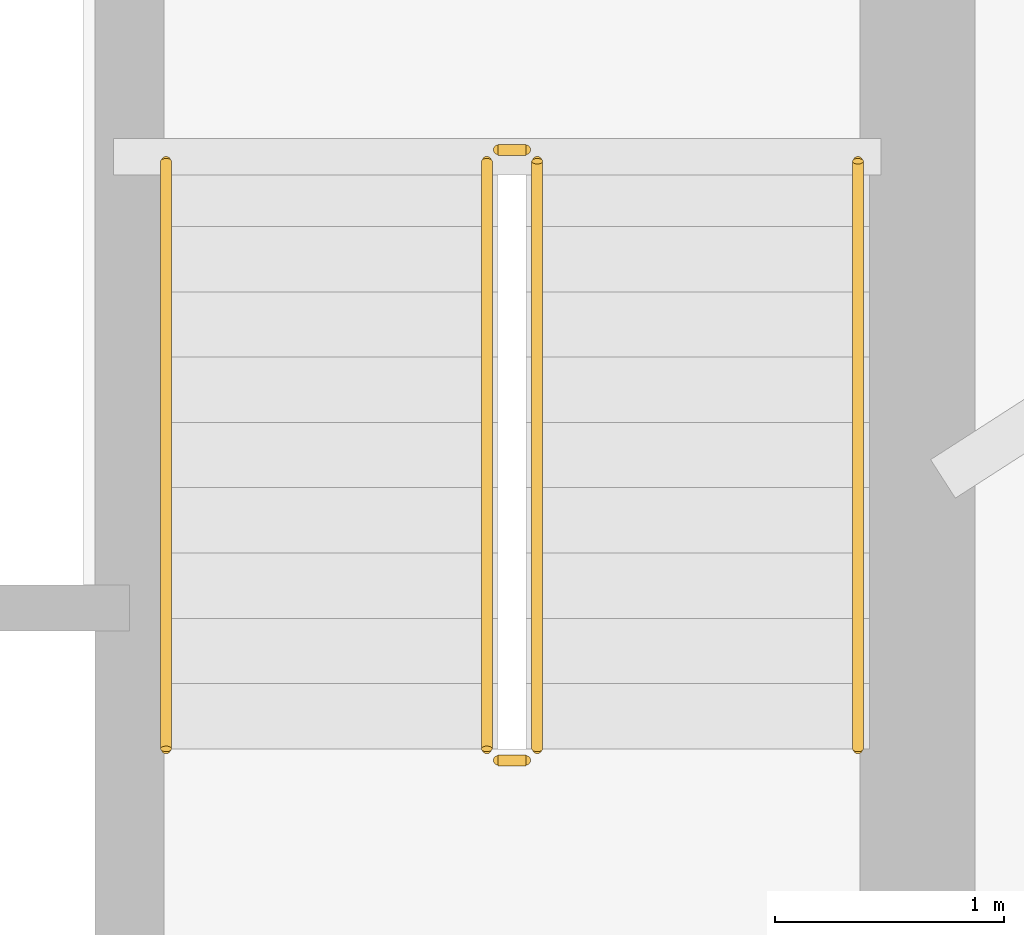
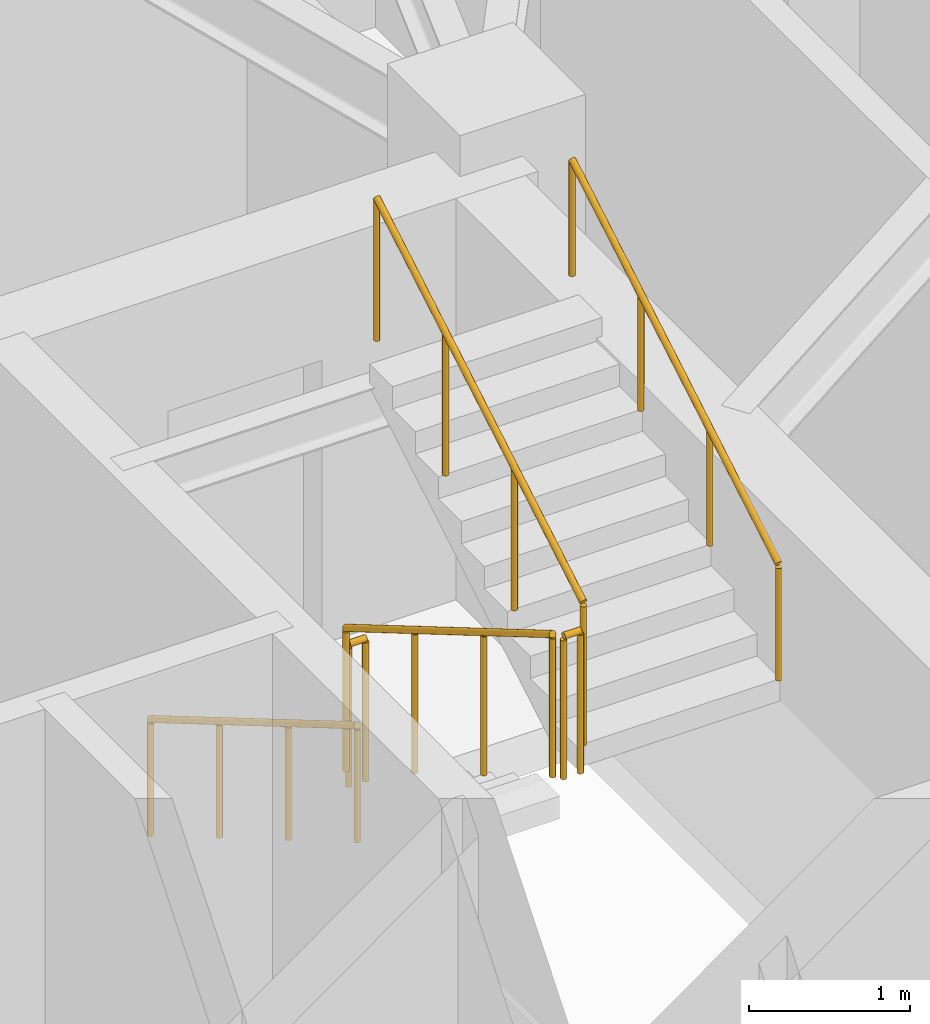
# One storey, part 17 of 17: 6 railings.
"""IFC4 building model written with IfcOpenShell, lengths in metres."""

from ifc_helpers import new_model, si_unit, direction, frame, origin, origin_2d, place, context, subcontext, project, spatial, circle, extrude, material, type_object, element, save


model = new_model("IFC4")

# Units and contexts
model_context = context("Model", 3, precision=1e-05, world=origin(), true_north=direction((0.0, 1.0)))
body_context = subcontext(model_context, "Body", "Model", "MODEL_VIEW")
ifc_project = project(units=[si_unit("LENGTHUNIT", "METRE"), si_unit("AREAUNIT", "SQUARE_METRE"), si_unit("VOLUMEUNIT", "CUBIC_METRE"), si_unit("PLANEANGLEUNIT", "RADIAN"), si_unit("MASSUNIT", "GRAM", prefix="KILO")], contexts=[model_context])

# Site, building, storey
site_placement = place(None, origin())
site = spatial("IfcSite", under=ifc_project, at=site_placement, CompositionType="ELEMENT")
building_placement = place(site_placement, origin())
building = spatial("IfcBuilding", under=site, at=building_placement, Name="Qobustan Lattice House", CompositionType="ELEMENT")
storey_placement = place(building_placement, frame((0.0, 0.0, 161.14990234375)))
storey = spatial("IfcBuildingStorey", under=building, at=storey_placement, Name="L45", CompositionType="ELEMENT", Elevation=161.14990234375)

# Railings
ifc_material_1 = material(Name="Brushed stainless steel handrail", Category="steel")
railing_type_1 = type_object("IfcRailingType", Name="RAL-HR-920", PredefinedType="HANDRAIL", material=ifc_material_1)
railing_1_placement = place(storey_placement, frame((15.179931640625, 3.5, 0.16748046875)))
element("IfcRailing", 1, at=railing_1_placement, inside=storey, type_object=railing_type_1, Name="L45 ST-E1 stair handrail 1", PredefinedType="HANDRAIL", context=body_context, shape_type="SweptSolid", body=[
    extrude(circle(Radius=0.02392578125, at=origin_2d()), frame((0.0, 0.0, 0.8759765625), z_axis=(0.0, -0.862113467892, 0.50671527358), x_axis=(1.0, 0.0, 0.0)), (0.0, 0.0, 1.0), 2.97509765625),
    extrude(circle(Radius=0.02099609375, at=origin_2d()), origin(), (0.0, 0.0, 1.0), 0.851806640625),
    extrude(circle(Radius=0.02099609375, at=origin_2d()), frame((0.0, -0.85498046875, 0.50244140625)), (0.0, 0.0, 1.0), 0.851806640625),
    extrude(circle(Radius=0.02099609375, at=origin_2d()), frame((0.0, -1.7099609375, 1.005126953125)), (0.0, 0.0, 1.0), 0.851806640625),
    extrude(circle(Radius=0.02099609375, at=origin_2d()), frame((0.0, -2.56494140625, 1.507568359375)), (0.0, 0.0, 1.0), 0.851806640625),
])
railing_2_placement = place(storey_placement, frame((18.199951171875, 0.93505859375, 1.842529296875)))
element("IfcRailing", 2, at=railing_2_placement, inside=storey, type_object=railing_type_1, Name="L45 ST-E1 stair handrail 2", PredefinedType="HANDRAIL", context=body_context, shape_type="SweptSolid", body=[
    extrude(circle(Radius=0.02392578125, at=origin_2d()), frame((0.0, 0.0, 0.8759765625), z_axis=(0.0, 0.862113467892, 0.50671527358), x_axis=(-1.0, 0.0, 0.0)), (0.0, 0.0, 1.0), 2.97509765625),
    extrude(circle(Radius=0.02099609375, at=origin_2d()), origin(), (0.0, 0.0, 1.0), 0.851806640625),
    extrude(circle(Radius=0.02099609375, at=origin_2d()), frame((0.0, 0.85498046875, 0.50244140625)), (0.0, 0.0, 1.0), 0.851806640625),
    extrude(circle(Radius=0.02099609375, at=origin_2d()), frame((0.0, 1.7099609375, 1.005126953125)), (0.0, 0.0, 1.0), 0.851806640625),
    extrude(circle(Radius=0.02099609375, at=origin_2d()), frame((0.0, 2.56494140625, 1.507568359375)), (0.0, 0.0, 1.0), 0.851806640625),
])
ifc_material_2 = material(Name="Painted galvanized steel guardrail", Category="steel")
railing_type_2 = type_object("IfcRailingType", Name="RAL-STG-1150", PredefinedType="GUARDRAIL", material=ifc_material_2)
railing_3_placement = place(storey_placement, frame((16.580078125, 3.5, 0.16748046875)))
element("IfcRailing", 3, at=railing_3_placement, inside=storey, type_object=railing_type_2, Name="L45 ST-E1 stair guard 1", PredefinedType="GUARDRAIL", context=body_context, shape_type="SweptSolid", body=[
    extrude(circle(Radius=0.02392578125, at=origin_2d()), frame((0.0, 0.0, 1.076171875), z_axis=(0.0, -0.862113467892, 0.50671527358), x_axis=(1.0, 0.0, 0.0)), (0.0, 0.0, 1.0), 2.97509765625),
    extrude(circle(Radius=0.02099609375, at=origin_2d()), origin(), (0.0, 0.0, 1.0), 1.052001953125),
    extrude(circle(Radius=0.02099609375, at=origin_2d()), frame((0.0, -0.85498046875, 0.50244140625)), (0.0, 0.0, 1.0), 1.052001953125),
    extrude(circle(Radius=0.02099609375, at=origin_2d()), frame((0.0, -1.7099609375, 1.005126953125)), (0.0, 0.0, 1.0), 1.052001953125),
    extrude(circle(Radius=0.02099609375, at=origin_2d()), frame((0.0, -2.56494140625, 1.507568359375)), (0.0, 0.0, 1.0), 1.052001953125),
])
railing_4_placement = place(storey_placement, frame((16.6298828125, 0.885009765625, 1.675048828125)))
element("IfcRailing", 4, at=railing_4_placement, inside=storey, type_object=railing_type_2, Name="L45 ST-E1 stair guard 2", PredefinedType="GUARDRAIL", context=body_context, shape_type="SweptSolid", body=[
    extrude(circle(Radius=0.02392578125, at=origin_2d()), frame((0.0, 0.0, 1.076171875), z_axis=(1.0, 0.0, 0.0), x_axis=(0.0, 1.0, 0.0)), (0.0, 0.0, 1.0), 0.1201171875),
    extrude(circle(Radius=0.02099609375, at=origin_2d()), origin(), (0.0, 0.0, 1.0), 1.052001953125),
    extrude(circle(Radius=0.02099609375, at=origin_2d()), frame((0.1201171875, 0.0, 0.0)), (0.0, 0.0, 1.0), 1.052001953125),
])
railing_5_placement = place(storey_placement, frame((16.800048828125, 0.93505859375, 1.842529296875)))
element("IfcRailing", 5, at=railing_5_placement, inside=storey, type_object=railing_type_2, Name="L45 ST-E1 stair guard 3", PredefinedType="GUARDRAIL", context=body_context, shape_type="SweptSolid", body=[
    extrude(circle(Radius=0.02392578125, at=origin_2d()), frame((0.0, 0.0, 1.076171875), z_axis=(0.0, 0.862113467892, 0.50671527358), x_axis=(-1.0, 0.0, 0.0)), (0.0, 0.0, 1.0), 2.97509765625),
    extrude(circle(Radius=0.02099609375, at=origin_2d()), origin(), (0.0, 0.0, 1.0), 1.052001953125),
    extrude(circle(Radius=0.02099609375, at=origin_2d()), frame((0.0, 0.85498046875, 0.50244140625)), (0.0, 0.0, 1.0), 1.052001953125),
    extrude(circle(Radius=0.02099609375, at=origin_2d()), frame((0.0, 1.7099609375, 1.005126953125)), (0.0, 0.0, 1.0), 1.052001953125),
    extrude(circle(Radius=0.02099609375, at=origin_2d()), frame((0.0, 2.56494140625, 1.507568359375)), (0.0, 0.0, 1.0), 1.052001953125),
])
railing_6_placement = place(storey_placement, frame((16.6298828125, 3.550048828125, 0.0)))
element("IfcRailing", 6, at=railing_6_placement, inside=storey, type_object=railing_type_2, Name="L45 ST-E1 stair guard 4", PredefinedType="GUARDRAIL", context=body_context, shape_type="SweptSolid", body=[
    extrude(circle(Radius=0.02392578125, at=origin_2d()), frame((0.0, 0.0, 1.076171875), z_axis=(1.0, 0.0, 0.0), x_axis=(0.0, 1.0, 0.0)), (0.0, 0.0, 1.0), 0.1201171875),
    extrude(circle(Radius=0.02099609375, at=origin_2d()), origin(), (0.0, 0.0, 1.0), 1.052001953125),
    extrude(circle(Radius=0.02099609375, at=origin_2d()), frame((0.1201171875, 0.0, 0.0)), (0.0, 0.0, 1.0), 1.052001953125),
])

save(model, "model.ifc")
